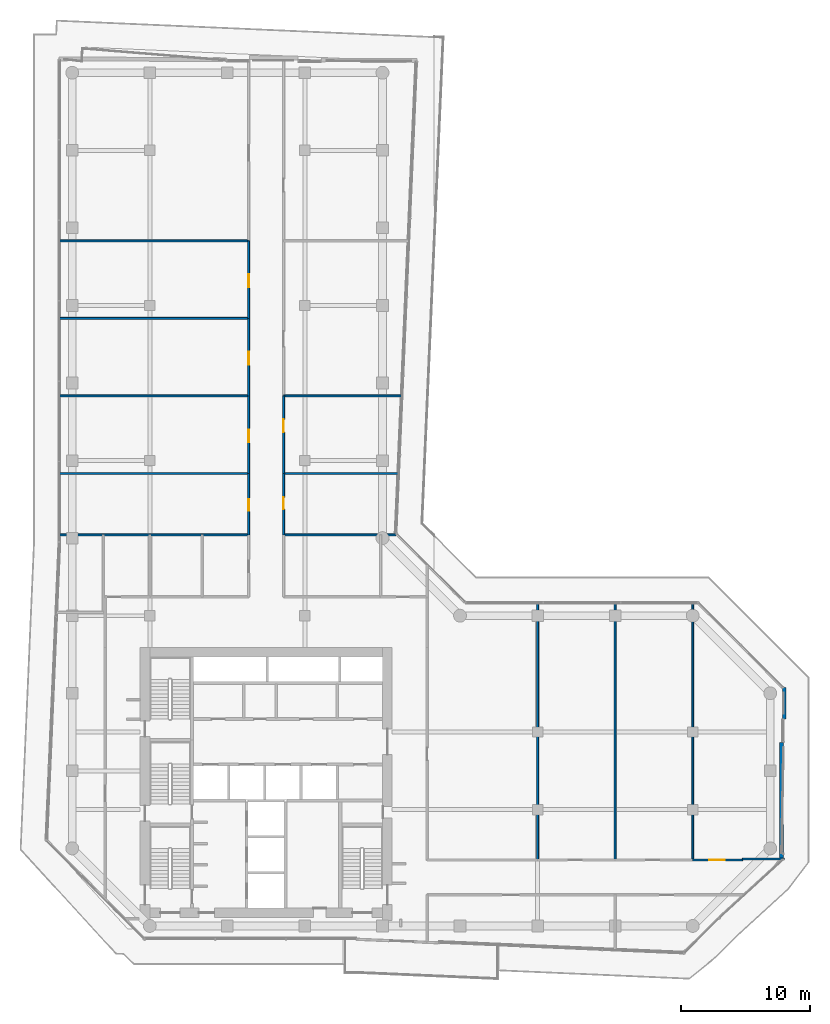
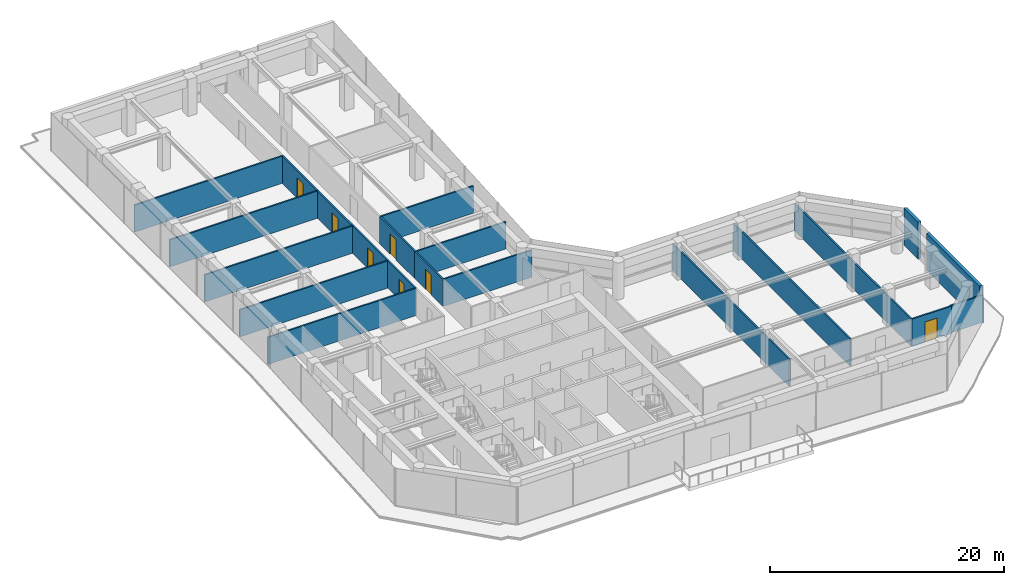
# One storey, part 22 of 25: 21 walls, 7 doors, 7 openings.
"""IFC4 building model written with IfcOpenShell, lengths in metres."""

from ifc_helpers import new_model, si_unit, direction, frame, frame_2d, origin, place, context, subcontext, project, spatial, rectangle, extrude, material, layer, layer_set, type_object, element, fill, save


model = new_model("IFC4")

# Units and contexts
model_context = context("Model", 3, precision=1e-05, world=origin(), true_north=direction((0.0, 1.0)))
body_context = subcontext(model_context, "Body", "Model", "MODEL_VIEW")
ifc_project = project(units=[si_unit("LENGTHUNIT", "METRE"), si_unit("AREAUNIT", "SQUARE_METRE"), si_unit("VOLUMEUNIT", "CUBIC_METRE"), si_unit("PLANEANGLEUNIT", "RADIAN"), si_unit("MASSUNIT", "GRAM", prefix="KILO")], contexts=[model_context])

# Site, building, storey
site_placement = place(None, origin())
site = spatial("IfcSite", under=ifc_project, at=site_placement, CompositionType="ELEMENT")
building_placement = place(site_placement, origin())
building = spatial("IfcBuilding", under=site, at=building_placement, Name="Welwitschia Terrace Campus", CompositionType="ELEMENT")
storey_placement = place(building_placement, frame((0.0, 0.0, 121.39990234375)))
storey = spatial("IfcBuildingStorey", under=building, at=storey_placement, Name="L27", CompositionType="ELEMENT", Elevation=121.39990234375)

# Walls
ifc_material_1 = material(Name="Gypsum board on steel studs", Category="steel")
ifc_layer_1 = layer(ifc_material_1, 0.14990234375)
ifc_layer_set_1 = layer_set([ifc_layer_1], Name="Gypsum board on steel studs")
wall_type_1 = type_object("IfcWallType", Name="Corridor partition 150 EI 30", PredefinedType="PARTITIONING", material=ifc_layer_set_1)
for number, where, z_axis, x_axis, name in (
    (1, (-0.97998046875, 34.25, 0.0), (0.0, 0.0, 1.0), (1.0, 0.0, 0.0), "Partition"),
    (2, (-0.97998046875, 39.0, 0.0), (0.0, 0.0, 1.0), (1.0, 0.0, 0.0), "Partition"),
    (3, (-0.97998046875, 45.0, 0.0), (0.0, 0.0, 1.0), (1.0, 0.0, 0.0), "Partition"),
    (4, (-0.97998046875, 51.0, 0.0), (0.0, 0.0, 1.0), (1.0, 0.0, 0.0), "Partition"),
    (5, (-0.97998046875, 57.0, 0.0), (0.0, 0.0, 1.0), (1.0, 0.0, 0.0), "Partition"),
):
    element("IfcWall", number, at=place(storey_placement, frame(where, z_axis=z_axis, x_axis=x_axis)), inside=storey, type_object=wall_type_1, Name=name, PredefinedType="PARTITIONING", context=body_context, shape_type="SweptSolid", body=[
        extrude(rectangle(XDim=14.6298828125, YDim=0.14990234375, at=frame_2d((7.31494140625, 0.0))), origin(), (0.0, 0.0, 1.0), 2.830078125),
    ])

# Wall, opening, door
wall_1_placement = place(storey_placement, frame((13.64990234375, 34.25, 0.0), z_axis=(0.0, 0.0, 1.0), x_axis=(0.0, 1.0, 0.0)))
wall_1 = element("IfcWall", 6, at=wall_1_placement, inside=storey, type_object=wall_type_1, Name="Partition", PredefinedType="PARTITIONING", context=body_context, shape_type="SweptSolid", body=[
    extrude(rectangle(XDim=4.75, YDim=0.14990234375, at=frame_2d((2.375, 0.0))), origin(), (0.0, 0.0, 1.0), 2.830078125),
])
opening_1_placement = place(wall_1_placement, frame((1.85009765625, 0.0, 0.0)))
opening_1 = element("IfcOpeningElement", 7, at=opening_1_placement, cuts=wall_1, Name="Opening DI09", PredefinedType="OPENING", context=body_context, shape_type="SweptSolid", body=[
    extrude(rectangle(XDim=0.89990234375, YDim=2.10009765625, at=frame_2d((0.449951171875, 1.050048828125))), frame((0.0, 0.0849609375, 0.0), z_axis=(0.0, -1.0, 0.0), x_axis=(1.0, 0.0, 0.0)), (0.0, 0.0, 1.0), 0.169921875),
])
ifc_material_2 = material(Name="Timber veneered door", Category="wood")
door_type_1 = type_object("IfcDoorType", Name="Interior door DI09", OperationType="NOTDEFINED", PredefinedType="DOOR", material=ifc_material_2)
door_1_placement = place(opening_1_placement, origin())
door_1 = element("IfcDoor", 8, at=door_1_placement, inside=storey, type_object=door_type_1, Name="Door L27 584", OperationType="SINGLE_SWING_LEFT", OverallHeight=2.10009765625, OverallWidth=0.89990234375, PredefinedType="DOOR", context=body_context, shape_type="SweptSolid", body=[
    extrude(rectangle(XDim=0.89990234375, YDim=2.10009765625, at=frame_2d((0.449951171875, 1.050048828125))), frame((0.0, 0.02490234375, 0.0), z_axis=(0.0, -1.0, 0.0), x_axis=(1.0, 0.0, 0.0)), (0.0, 0.0, 1.0), 0.050048828125),
])
fill(opening_1, door_1)

wall_2_placement = place(storey_placement, frame((13.64990234375, 39.0, 0.0), z_axis=(0.0, 0.0, 1.0), x_axis=(0.0, 1.0, 0.0)))
wall_2 = element("IfcWall", 9, at=wall_2_placement, inside=storey, type_object=wall_type_1, Name="Partition", PredefinedType="PARTITIONING", context=body_context, shape_type="SweptSolid", body=[
    extrude(rectangle(XDim=6.0, YDim=0.14990234375, at=frame_2d((3.0, 0.0))), origin(), (0.0, 0.0, 1.0), 2.830078125),
])
opening_2_placement = place(wall_2_placement, frame((2.39990234375, 0.0, 0.0)))
opening_2 = element("IfcOpeningElement", 10, at=opening_2_placement, cuts=wall_2, Name="Opening DI10", PredefinedType="OPENING", context=body_context, shape_type="SweptSolid", body=[
    extrude(rectangle(XDim=1.0, YDim=2.10009765625, at=frame_2d((0.5, 1.050048828125))), frame((0.0, 0.0849609375, 0.0), z_axis=(0.0, -1.0, 0.0), x_axis=(1.0, 0.0, 0.0)), (0.0, 0.0, 1.0), 0.169921875),
])
ifc_material_3 = material(Name="Timber veneered door", Category="wood")
door_type_2 = type_object("IfcDoorType", Name="Interior door DI10", OperationType="NOTDEFINED", PredefinedType="DOOR", material=ifc_material_3)
door_2_placement = place(opening_2_placement, origin())
door_2 = element("IfcDoor", 11, at=door_2_placement, inside=storey, type_object=door_type_2, Name="Door L27 585", OperationType="SINGLE_SWING_RIGHT", OverallHeight=2.10009765625, OverallWidth=1.0, PredefinedType="DOOR", context=body_context, shape_type="SweptSolid", body=[
    extrude(rectangle(XDim=1.0, YDim=2.10009765625, at=frame_2d((0.5, 1.050048828125))), frame((0.0, 0.02490234375, 0.0), z_axis=(0.0, -1.0, 0.0), x_axis=(1.0, 0.0, 0.0)), (0.0, 0.0, 1.0), 0.050048828125),
])
fill(opening_2, door_2)

wall_3_placement = place(storey_placement, frame((13.64990234375, 45.0, 0.0), z_axis=(0.0, 0.0, 1.0), x_axis=(0.0, 1.0, 0.0)))
wall_3 = element("IfcWall", 12, at=wall_3_placement, inside=storey, type_object=wall_type_1, Name="Partition", PredefinedType="PARTITIONING", context=body_context, shape_type="SweptSolid", body=[
    extrude(rectangle(XDim=6.0, YDim=0.14990234375, at=frame_2d((3.0, 0.0))), origin(), (0.0, 0.0, 1.0), 2.830078125),
])
opening_3_placement = place(wall_3_placement, frame((2.39990234375, 0.0, 0.0)))
opening_3 = element("IfcOpeningElement", 13, at=opening_3_placement, cuts=wall_3, Name="Opening DI10", PredefinedType="OPENING", context=body_context, shape_type="SweptSolid", body=[
    extrude(rectangle(XDim=1.0, YDim=2.10009765625, at=frame_2d((0.5, 1.050048828125))), frame((0.0, 0.0849609375, 0.0), z_axis=(0.0, -1.0, 0.0), x_axis=(1.0, 0.0, 0.0)), (0.0, 0.0, 1.0), 0.169921875),
])
door_3_placement = place(opening_3_placement, origin())
door_3 = element("IfcDoor", 14, at=door_3_placement, inside=storey, type_object=door_type_2, Name="Door L27 586", OperationType="SINGLE_SWING_LEFT", OverallHeight=2.10009765625, OverallWidth=1.0, PredefinedType="DOOR", context=body_context, shape_type="SweptSolid", body=[
    extrude(rectangle(XDim=1.0, YDim=2.10009765625, at=frame_2d((0.5, 1.050048828125))), frame((0.0, 0.02490234375, 0.0), z_axis=(0.0, -1.0, 0.0), x_axis=(1.0, 0.0, 0.0)), (0.0, 0.0, 1.0), 0.050048828125),
])
fill(opening_3, door_3)

wall_4_placement = place(storey_placement, frame((13.64990234375, 51.0, 0.0), z_axis=(0.0, 0.0, 1.0), x_axis=(0.0, 1.0, 0.0)))
wall_4 = element("IfcWall", 15, at=wall_4_placement, inside=storey, type_object=wall_type_1, Name="Partition", PredefinedType="PARTITIONING", context=body_context, shape_type="SweptSolid", body=[
    extrude(rectangle(XDim=6.0, YDim=0.14990234375, at=frame_2d((3.0, 0.0))), origin(), (0.0, 0.0, 1.0), 2.830078125),
])
opening_4_placement = place(wall_4_placement, frame((2.39990234375, 0.0, 0.0)))
opening_4 = element("IfcOpeningElement", 16, at=opening_4_placement, cuts=wall_4, Name="Opening DI10", PredefinedType="OPENING", context=body_context, shape_type="SweptSolid", body=[
    extrude(rectangle(XDim=1.0, YDim=2.10009765625, at=frame_2d((0.5, 1.050048828125))), frame((0.0, 0.0849609375, 0.0), z_axis=(0.0, -1.0, 0.0), x_axis=(1.0, 0.0, 0.0)), (0.0, 0.0, 1.0), 0.169921875),
])
door_4_placement = place(opening_4_placement, origin())
door_4 = element("IfcDoor", 17, at=door_4_placement, inside=storey, type_object=door_type_2, Name="Door L27 587", OperationType="SINGLE_SWING_RIGHT", OverallHeight=2.10009765625, OverallWidth=1.0, PredefinedType="DOOR", context=body_context, shape_type="SweptSolid", body=[
    extrude(rectangle(XDim=1.0, YDim=2.10009765625, at=frame_2d((0.5, 1.050048828125))), frame((0.0, 0.02490234375, 0.0), z_axis=(0.0, -1.0, 0.0), x_axis=(1.0, 0.0, 0.0)), (0.0, 0.0, 1.0), 0.050048828125),
])
fill(opening_4, door_4)

# Wall
wall_5_placement = place(storey_placement, frame((16.35009765625, 34.25, 0.0), z_axis=(0.0, 0.0, 1.0), x_axis=(1.0, 0.0, 0.0)))
element("IfcWall", 18, at=wall_5_placement, inside=storey, type_object=wall_type_1, Name="Partition", PredefinedType="PARTITIONING", context=body_context, shape_type="SweptSolid", body=[
    extrude(rectangle(XDim=8.6904296875, YDim=0.14990234375, at=frame_2d((4.34521484375, 0.0))), origin(), (0.0, 0.0, 1.0), 2.830078125),
])

# Wall, opening, door
wall_6_placement = place(storey_placement, frame((16.35009765625, 39.0, 0.0), z_axis=(0.0, 0.0, 1.0), x_axis=(0.0, -1.0, 0.0)))
wall_6 = element("IfcWall", 19, at=wall_6_placement, inside=storey, type_object=wall_type_1, Name="Partition", PredefinedType="PARTITIONING", context=body_context, shape_type="SweptSolid", body=[
    extrude(rectangle(XDim=4.75, YDim=0.14990234375, at=frame_2d((2.375, 0.0))), origin(), (0.0, 0.0, 1.0), 2.830078125),
])
opening_5_placement = place(wall_6_placement, frame((1.85009765625, 0.0, 0.0)))
opening_5 = element("IfcOpeningElement", 20, at=opening_5_placement, cuts=wall_6, Name="Opening DI09", PredefinedType="OPENING", context=body_context, shape_type="SweptSolid", body=[
    extrude(rectangle(XDim=0.89990234375, YDim=2.10009765625, at=frame_2d((0.449951171875, 1.050048828125))), frame((0.0, 0.0849609375, 0.0), z_axis=(0.0, -1.0, 0.0), x_axis=(1.0, 0.0, 0.0)), (0.0, 0.0, 1.0), 0.169921875),
])
door_5_placement = place(opening_5_placement, origin())
door_5 = element("IfcDoor", 21, at=door_5_placement, inside=storey, type_object=door_type_1, Name="Door L27 589", OperationType="SINGLE_SWING_RIGHT", OverallHeight=2.10009765625, OverallWidth=0.89990234375, PredefinedType="DOOR", context=body_context, shape_type="SweptSolid", body=[
    extrude(rectangle(XDim=0.89990234375, YDim=2.10009765625, at=frame_2d((0.449951171875, 1.050048828125))), frame((0.0, 0.02490234375, 0.0), z_axis=(0.0, -1.0, 0.0), x_axis=(1.0, 0.0, 0.0)), (0.0, 0.0, 1.0), 0.050048828125),
])
fill(opening_5, door_5)

# Wall
wall_7_placement = place(storey_placement, frame((16.35009765625, 39.0, 0.0), z_axis=(0.0, 0.0, 1.0), x_axis=(1.0, 0.0, 0.0)))
element("IfcWall", 22, at=wall_7_placement, inside=storey, type_object=wall_type_1, Name="Partition", PredefinedType="PARTITIONING", context=body_context, shape_type="SweptSolid", body=[
    extrude(rectangle(XDim=8.889892578125, YDim=0.14990234375, at=frame_2d((4.44482421875, 0.0))), origin(), (0.0, 0.0, 1.0), 2.830078125),
])

# Wall, opening, door
wall_8_placement = place(storey_placement, frame((16.35009765625, 45.0, 0.0), z_axis=(0.0, 0.0, 1.0), x_axis=(0.0, -1.0, 0.0)))
wall_8 = element("IfcWall", 23, at=wall_8_placement, inside=storey, type_object=wall_type_1, Name="Partition", PredefinedType="PARTITIONING", context=body_context, shape_type="SweptSolid", body=[
    extrude(rectangle(XDim=6.0, YDim=0.14990234375, at=frame_2d((3.0, 0.0))), origin(), (0.0, 0.0, 1.0), 2.830078125),
])
opening_6_placement = place(wall_8_placement, frame((1.800048828125, 0.0, 0.0)))
opening_6 = element("IfcOpeningElement", 24, at=opening_6_placement, cuts=wall_8, Name="Opening DI10", PredefinedType="OPENING", context=body_context, shape_type="SweptSolid", body=[
    extrude(rectangle(XDim=1.0, YDim=2.10009765625, at=frame_2d((0.5, 1.050048828125))), frame((0.0, 0.0849609375, 0.0), z_axis=(0.0, -1.0, 0.0), x_axis=(1.0, 0.0, 0.0)), (0.0, 0.0, 1.0), 0.169921875),
])
door_6_placement = place(opening_6_placement, origin())
door_6 = element("IfcDoor", 25, at=door_6_placement, inside=storey, type_object=door_type_2, Name="Door L27 590", OperationType="SINGLE_SWING_LEFT", OverallHeight=2.10009765625, OverallWidth=1.0, PredefinedType="DOOR", context=body_context, shape_type="SweptSolid", body=[
    extrude(rectangle(XDim=1.0, YDim=2.10009765625, at=frame_2d((0.5, 1.050048828125))), frame((0.0, 0.02490234375, 0.0), z_axis=(0.0, -1.0, 0.0), x_axis=(1.0, 0.0, 0.0)), (0.0, 0.0, 1.0), 0.050048828125),
])
fill(opening_6, door_6)

# Walls
wall_9_placement = place(storey_placement, frame((16.35009765625, 45.0, 0.0), z_axis=(0.0, 0.0, 1.0), x_axis=(1.0, 0.0, 0.0)))
element("IfcWall", 26, at=wall_9_placement, inside=storey, type_object=wall_type_1, Name="Partition", PredefinedType="PARTITIONING", context=body_context, shape_type="SweptSolid", body=[
    extrude(rectangle(XDim=9.14990234375, YDim=0.14990234375, at=frame_2d((4.574951171875, 0.0))), origin(), (0.0, 0.0, 1.0), 2.830078125),
])
for number, where, z_axis, x_axis, name in (
    (27, (36.0, 9.10009765625, 0.0), (0.0, 0.0, 1.0), (0.0, 1.0, 0.0), "Partition"),
    (28, (42.0, 9.10009765625, 0.0), (0.0, 0.0, 1.0), (0.0, 1.0, 0.0), "Partition"),
    (29, (48.0, 9.10009765625, 0.0), (0.0, 0.0, 1.0), (0.0, 1.0, 0.0), "Partition"),
):
    element("IfcWall", number, at=place(storey_placement, frame(where, z_axis=z_axis, x_axis=x_axis)), inside=storey, type_object=wall_type_1, Name=name, PredefinedType="PARTITIONING", context=body_context, shape_type="SweptSolid", body=[
        extrude(rectangle(XDim=19.8798828125, YDim=0.14990234375, at=frame_2d((9.93994140625, 0.0))), origin(), (0.0, 0.0, 1.0), 2.830078125),
    ])

# Wall, opening, door
wall_10_placement = place(storey_placement, frame((48.0, 9.10009765625, 0.0), z_axis=(0.0, 0.0, 1.0), x_axis=(1.0, 0.0, 0.0)))
wall_10 = element("IfcWall", 30, at=wall_10_placement, inside=storey, type_object=wall_type_1, Name="Partition", PredefinedType="PARTITIONING", context=body_context, shape_type="SweptSolid", body=[
    extrude(rectangle(XDim=3.8798828125, YDim=0.14990234375, at=frame_2d((1.93994140625, 0.0))), origin(), (0.0, 0.0, 1.0), 2.830078125),
])
opening_7_placement = place(wall_10_placement, frame((1.280029296875, 0.0, 0.0)))
opening_7 = element("IfcOpeningElement", 31, at=opening_7_placement, cuts=wall_10, Name="Opening DI12", PredefinedType="OPENING", context=body_context, shape_type="SweptSolid", body=[
    extrude(rectangle(XDim=1.199951171875, YDim=2.10009765625, at=frame_2d((0.60009765625, 1.050048828125))), frame((0.0, 0.0849609375, 0.0), z_axis=(0.0, -1.0, 0.0), x_axis=(1.0, 0.0, 0.0)), (0.0, 0.0, 1.0), 0.169921875),
])
ifc_material_4 = material(Name="Timber veneered door", Category="wood")
door_type_3 = type_object("IfcDoorType", Name="Interior door DI12", OperationType="NOTDEFINED", PredefinedType="DOOR", material=ifc_material_4)
door_7_placement = place(opening_7_placement, origin())
door_7 = element("IfcDoor", 32, at=door_7_placement, inside=storey, type_object=door_type_3, Name="Door L27 598", OperationType="SINGLE_SWING_LEFT", OverallHeight=2.10009765625, OverallWidth=1.199951171875, PredefinedType="DOOR", context=body_context, shape_type="SweptSolid", body=[
    extrude(rectangle(XDim=1.199951171875, YDim=2.10009765625, at=frame_2d((0.60009765625, 1.050048828125))), frame((0.0, 0.02490234375, 0.0), z_axis=(0.0, -1.0, 0.0), x_axis=(1.0, 0.0, 0.0)), (0.0, 0.0, 1.0), 0.050048828125),
])
fill(opening_7, door_7)

# Walls
wall_11_placement = place(storey_placement, frame((51.85009765625, 9.179931640625, 0.0), z_axis=(0.0, 0.0, 1.0), x_axis=(1.0, 0.0, 0.0)))
element("IfcWall", 33, at=wall_11_placement, inside=storey, type_object=wall_type_1, Name="Partition", PredefinedType="PARTITIONING", context=body_context, shape_type="SweptSolid", body=[
    extrude(rectangle(XDim=3.239990234375, YDim=0.14990234375, at=frame_2d((1.6201171875, 0.0))), origin(), (0.0, 0.0, 1.0), 2.830078125),
])
ifc_material_5 = material(Name="Concrete C40/50", Category="concrete")
ifc_layer_2 = layer(ifc_material_5, 0.300048828125)
ifc_layer_set_2 = layer_set([ifc_layer_2], Name="Concrete C40/50")
wall_type_2 = type_object("IfcWallType", Name="Mass wall 300", PredefinedType="SOLIDWALL", material=ifc_layer_set_2)
wall_12_placement = place(storey_placement, frame((54.8798828125, 9.156494140625, 0.0), z_axis=(0.0, 0.0, 1.0), x_axis=(0.0, 1.0, 0.0)))
element("IfcWall", 34, at=wall_12_placement, inside=storey, type_object=wall_type_2, Name="Mass wall L27.6.0", PredefinedType="SOLIDWALL", context=body_context, shape_type="SweptSolid", body=[
    extrude(rectangle(XDim=9.052490234375, YDim=0.300048828125, at=frame_2d((4.5263671875, 0.0))), origin(), (0.0, 0.0, 1.0), 3.85009765625),
])
wall_13_placement = place(storey_placement, frame((55.07958984375, 20.009033203125, 0.0), z_axis=(0.0, 0.0, 1.0), x_axis=(0.0, 1.0, 0.0)))
element("IfcWall", 35, at=wall_13_placement, inside=storey, type_object=wall_type_2, Name="Mass wall L27.6.1", PredefinedType="SOLIDWALL", context=body_context, shape_type="SweptSolid", body=[
    extrude(rectangle(XDim=2.41748046875, YDim=0.300048828125, at=frame_2d((1.208740234375, 0.0))), origin(), (0.0, 0.0, 1.0), 3.85009765625),
])

save(model, "model.ifc")
